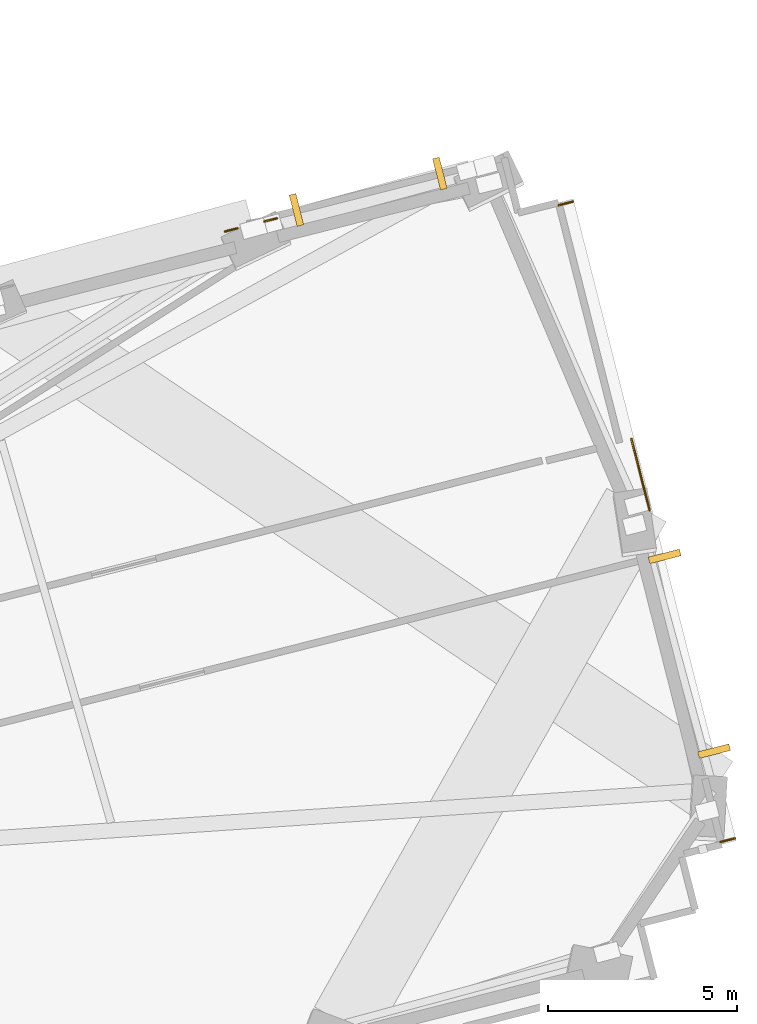
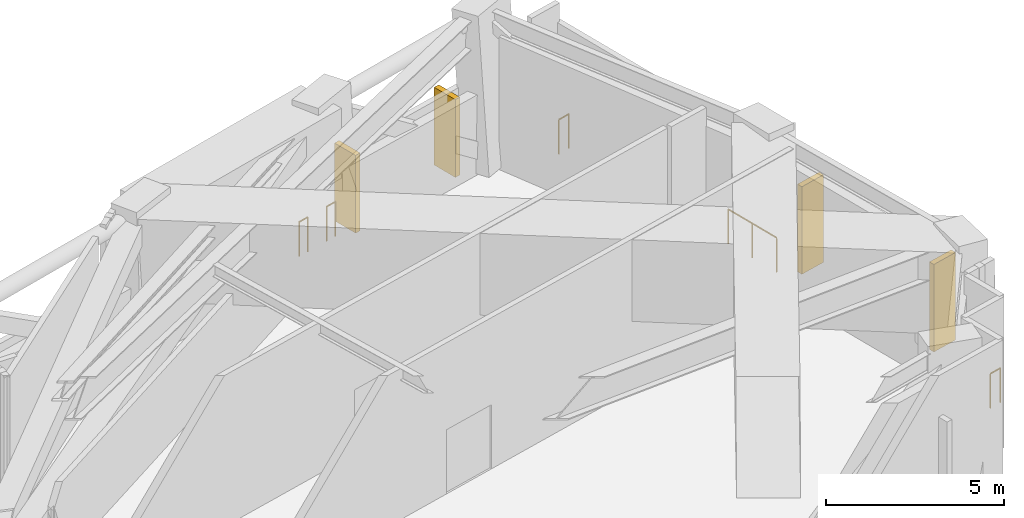
# One storey, part 17 of 17: 5 railings, 4 shading devices.
"""IFC4 building model written with IfcOpenShell, lengths in metres."""

import ifcopenshell
import ifcopenshell.guid

model = None  # the IFC model being written
_history = None  # IfcOwnerHistory: only IFC2X3 demands one
_inside = {}  # id of a spatial element -> (the spatial element, [elements in it])
_under = {}  # id of a project, library or spatial element -> (it, [spatial elements below it])
_declared = {}  # id of a project -> (the project, [libraries it declares])
_typed = {}  # id of a type object -> (the type object, [elements of that type])
_made_of = {}  # id of a material, layer set ... -> (it, [elements and type objects made of it])


def new_model(schema):
    """Start an empty IFC model of exactly this schema.

    Asked for "IFC4X3", IfcOpenShell would pick the latest addendum, in which some entities
    have other attributes; the version numbers below select the first issue.
    IFC2X3 requires an IfcOwnerHistory on every rooted entity: one is made here for all.
    """
    global model, _history
    if schema == "IFC4X3":
        model = ifcopenshell.file(schema_version=(4, 3, 0, 0))
    else:
        model = ifcopenshell.file(schema=schema)
    _inside.clear()
    _under.clear()
    _declared.clear()
    _typed.clear()
    _made_of.clear()
    _history = None
    if model.schema == "IFC2X3":
        org = make("IfcOrganization", Name="unknown")
        user = make(
            "IfcPersonAndOrganization",
            ThePerson=make("IfcPerson", FamilyName="unknown"),
            TheOrganization=org,
        )
        app = make(
            "IfcApplication",
            ApplicationDeveloper=org,
            Version="unknown",
            ApplicationFullName="unknown",
            ApplicationIdentifier="unknown",
        )
        _history = make(
            "IfcOwnerHistory",
            OwningUser=user,
            OwningApplication=app,
            ChangeAction="ADDED",
            CreationDate=0,
        )
    return model


def make(cls, **values):
    """One entity of the class cls with the attributes given. An attribute that is None is left unset."""
    return model.create_entity(
        cls, **{name: value for name, value in values.items() if value is not None}
    )


def rooted(cls, **values):
    """An entity with a GlobalId (a new one), such as an element, a storey or a relation."""
    return make(cls, GlobalId=ifcopenshell.guid.new(), OwnerHistory=_history, **values)


def si_unit(unit_type, name, prefix=None):
    """IfcSIUnit, for example si_unit("LENGTHUNIT", "METRE", prefix="MILLI")."""
    return make("IfcSIUnit", UnitType=unit_type, Prefix=prefix, Name=name)


def assignment(units):
    """IfcUnitAssignment: the units of a project."""
    return None if units is None else make("IfcUnitAssignment", Units=units)


def point(xyz):
    """IfcCartesianPoint."""
    return None if xyz is None else make("IfcCartesianPoint", Coordinates=xyz)


def direction(xyz):
    """IfcDirection."""
    return None if xyz is None else make("IfcDirection", DirectionRatios=xyz)


def frame(location, z_axis=None, x_axis=None):
    """IfcAxis2Placement3D, a coordinate frame: its origin and axes. An axis left out is left unset."""
    return make(
        "IfcAxis2Placement3D",
        Location=point(location),
        Axis=direction(z_axis),
        RefDirection=direction(x_axis),
    )


def frame_2d(location, x_axis=None):
    """IfcAxis2Placement2D, a coordinate frame in the plane: its origin and x axis."""
    return make(
        "IfcAxis2Placement2D", Location=point(location), RefDirection=direction(x_axis)
    )


def origin():
    """The frame at (0, 0, 0) with its axes left unset."""
    return frame((0.0, 0.0, 0.0))


def origin_2d():
    """The frame at (0, 0) in the plane with its x axis left unset."""
    return frame_2d((0.0, 0.0))


def place(relative_to, where):
    """IfcLocalPlacement: puts the frame where relative to a parent placement (None: the world)."""
    return make(
        "IfcLocalPlacement", PlacementRelTo=relative_to, RelativePlacement=where
    )


def context(
    kind, dimensions, precision=None, world=None, true_north=None, identifier=None
):
    """IfcGeometricRepresentationContext, for example the 3D "Model" context."""
    return make(
        "IfcGeometricRepresentationContext",
        ContextIdentifier=identifier,
        ContextType=kind,
        CoordinateSpaceDimension=dimensions,
        Precision=precision,
        WorldCoordinateSystem=world,
        TrueNorth=true_north,
    )


def subcontext(parent, identifier, kind, view, scale=None):
    """IfcGeometricRepresentationSubContext, for example "Body" below "Model"."""
    return make(
        "IfcGeometricRepresentationSubContext",
        ContextIdentifier=identifier,
        ContextType=kind,
        ParentContext=parent,
        TargetScale=scale,
        TargetView=view,
    )


def project(units=None, contexts=None):
    """IfcProject with its units and contexts."""
    return rooted(
        "IfcProject",
        Name="project",
        RepresentationContexts=contexts,
        UnitsInContext=assignment(units),
    )


def spatial(cls, under=None, at=None, **own):
    """A site, building, storey or space (cls), placed at a placement, below another one or the project."""
    s = rooted(cls, ObjectPlacement=at, **own)
    if under is not None:
        _under.setdefault(under.id(), (under, []))[1].append(s)
    return s


def profile(cls, at=None, kind="AREA", **sizes):
    """A parametric profile (cls). Its sizes go by their IFC names, for example OverallWidth=200.0."""
    return make(cls, ProfileType=kind, Position=at, **sizes)


def rectangle(**sizes):
    """IfcRectangleProfileDef."""
    return profile("IfcRectangleProfileDef", **sizes)


def circle(**sizes):
    """IfcCircleProfileDef."""
    return profile("IfcCircleProfileDef", **sizes)


def extrude(swept, where, along, depth):
    """IfcExtrudedAreaSolid: the profile swept, set in the frame where, extruded along a direction by depth."""
    return make(
        "IfcExtrudedAreaSolid",
        SweptArea=swept,
        Position=where,
        ExtrudedDirection=direction(along),
        Depth=depth,
    )


def shape(context_of_items, identifier, shape_type, items):
    """IfcShapeRepresentation: the items that make up one representation, for example the "Body"."""
    return make(
        "IfcShapeRepresentation",
        ContextOfItems=context_of_items,
        RepresentationIdentifier=identifier,
        RepresentationType=shape_type,
        Items=items,
    )


def material(Name=None, Category=None):
    """IfcMaterial."""
    return make("IfcMaterial", Name=Name, Category=Category)


def layer(
    of_material, thickness, ventilated=None, Name=None, Category=None, Priority=None
):
    """IfcMaterialLayer: one layer of a wall or slab, of a material (None: an air gap)."""
    return make(
        "IfcMaterialLayer",
        Material=of_material,
        LayerThickness=thickness,
        IsVentilated=ventilated,
        Name=Name,
        Category=Category,
        Priority=Priority,
    )


def layer_set(layers, Name=None):
    """IfcMaterialLayerSet."""
    return make("IfcMaterialLayerSet", MaterialLayers=layers, LayerSetName=Name)


def made_of(thing, what):
    """Note that an element or type object is made of a material, layer set ...; save() writes the relation."""
    if what is not None:
        _made_of.setdefault(what.id(), (what, []))[1].append(thing)
    return thing


def type_object(cls, material=None, **own):
    """A type object (cls), such as IfcWallType, which elements share."""
    return made_of(rooted(cls, **own), material)


def element(
    cls,
    number,
    at=None,
    inside=None,
    cuts=None,
    type_object=None,
    material=None,
    context=None,
    identifier="Body",
    shape_type=None,
    held_by="IfcProductDefinitionShape",
    body=None,
    shapes=None,
    **own,
):
    """One element of the class cls, such as IfcWall. Its Tag is "e" and its number.

    at: its placement. inside: the storey or other place that contains it. cuts: it is an
    opening in that element (IfcRelVoidsElement). A single representation is given by context,
    identifier, shape_type and body (its items); several are given by shapes. held_by: the class
    of the entity that holds the representations. save() writes the other relations.
    """
    e = rooted(cls, Tag="e%d" % number, ObjectPlacement=at, **own)
    if body is not None:
        shapes = [shape(context, identifier, shape_type, body)]
    if shapes is not None:
        e.Representation = make(held_by, Representations=shapes)
    if inside is not None:
        _inside.setdefault(inside.id(), (inside, []))[1].append(e)
    if cuts is not None:
        rooted(
            "IfcRelVoidsElement", RelatingBuildingElement=cuts, RelatedOpeningElement=e
        )
    if type_object is not None:
        _typed.setdefault(type_object.id(), (type_object, []))[1].append(e)
    return made_of(e, material)


def aggregate(whole, parts):
    """IfcRelAggregates: a whole, such as a stair, and the parts it consists of."""
    return rooted("IfcRelAggregates", RelatingObject=whole, RelatedObjects=parts)


def save(model, path):
    """Write the relations noted so far, then the file.

    IfcRelAggregates (storeys below a building ...), IfcRelContainedInSpatialStructure (elements
    in a storey), IfcRelDefinesByType, IfcRelAssociatesMaterial and IfcRelDeclares: one each for
    every whole, place, type object, material and project.
    """
    for whole, parts in _under.values():
        aggregate(whole, parts)
    for where, things in _inside.values():
        rooted(
            "IfcRelContainedInSpatialStructure",
            RelatedElements=things,
            RelatingStructure=where,
        )
    for kind, things in _typed.values():
        rooted("IfcRelDefinesByType", RelatedObjects=things, RelatingType=kind)
    for what, things in _made_of.values():
        rooted("IfcRelAssociatesMaterial", RelatedObjects=things, RelatingMaterial=what)
    for by, libraries in _declared.values():
        rooted("IfcRelDeclares", RelatingContext=by, RelatedDefinitions=libraries)
    model.write(path)


model = new_model("IFC4")

# Units and contexts
model_context = context("Model", 3, precision=1e-05, world=origin(), true_north=direction((0.0, 1.0)))
body_context = subcontext(model_context, "Body", "Model", "MODEL_VIEW")
ifc_project = project(units=[si_unit("LENGTHUNIT", "METRE"), si_unit("AREAUNIT", "SQUARE_METRE"), si_unit("VOLUMEUNIT", "CUBIC_METRE"), si_unit("PLANEANGLEUNIT", "RADIAN"), si_unit("MASSUNIT", "GRAM", prefix="KILO")], contexts=[model_context])

# Site, building, storey
site_placement = place(None, origin())
site = spatial("IfcSite", under=ifc_project, at=site_placement, CompositionType="ELEMENT")
building_placement = place(site_placement, origin())
building = spatial("IfcBuilding", under=site, at=building_placement, Name="Gaonmaruhae Medical Tower", CompositionType="ELEMENT")
storey_placement = place(building_placement, frame((0.0, 0.0, 83.0)))
storey = spatial("IfcBuildingStorey", under=building, at=storey_placement, Name="L19", CompositionType="ELEMENT", Elevation=83.0)

# Railings
ifc_material_1 = material(Name="Stainless steel 316L and laminated safety glass", Category="steel")
ifc_layer = layer(ifc_material_1, 0.080078125)
ifc_layer_set = layer_set([ifc_layer], Name="Stainless steel 316L and laminated safety glass")
railing_type = type_object("IfcRailingType", Name="GD-120 Outdoor Terrace Safety Glass & Steel Balustrade", PredefinedType="BALUSTRADE", material=ifc_layer_set)
railing_1_placement = place(storey_placement, frame((67.5205078125, 13.058349609375, 0.0)))
element("IfcRailing", 1, at=railing_1_placement, inside=storey, type_object=railing_type, Name="L19 Perimeter Slab Edge Safety Balustrade 05", PredefinedType="BALUSTRADE", context=body_context, shape_type="SweptSolid", body=[
    extrude(circle(Radius=0.02392578125, at=origin_2d()), frame((0.0, 0.0, 1.17578125), z_axis=(0.969186108269, 0.246329631871, 0.0), x_axis=(-0.246329631871, 0.969186108269, 0.0)), (0.0, 0.0, 1.0), 0.3935546875),
    extrude(circle(Radius=0.02099609375, at=origin_2d()), origin(), (0.0, 0.0, 1.0), 1.15185546875),
    extrude(circle(Radius=0.02099609375, at=origin_2d()), frame((0.38134765625, 0.096923828125, 0.0)), (0.0, 0.0, 1.0), 1.15185546875),
])
railing_2_placement = place(storey_placement, frame((65.648681640625, 21.824462890625, 0.0)))
element("IfcRailing", 2, at=railing_2_placement, inside=storey, type_object=railing_type, Name="L19 Perimeter Slab Edge Safety Balustrade 06", PredefinedType="BALUSTRADE", context=body_context, shape_type="SweptSolid", body=[
    extrude(circle(Radius=0.02392578125, at=origin_2d()), frame((0.0, 0.0, 1.17578125), z_axis=(-0.246195009855, 0.969220314027, 0.0), x_axis=(-0.969220314027, -0.246195009855, 0.0)), (0.0, 0.0, 1.0), 1.945556640625),
    extrude(circle(Radius=0.02099609375, at=origin_2d()), origin(), (0.0, 0.0, 1.0), 1.15185546875),
    extrude(circle(Radius=0.02099609375, at=origin_2d()), frame((-0.239501953125, 0.94287109375, 0.0)), (0.0, 0.0, 1.0), 1.15185546875),
    extrude(circle(Radius=0.02099609375, at=origin_2d()), frame((-0.47900390625, 1.8857421875, 0.0)), (0.0, 0.0, 1.0), 1.15185546875),
])
railing_3_placement = place(storey_placement, frame((63.628662109375, 29.98095703125, 0.0)))
element("IfcRailing", 3, at=railing_3_placement, inside=storey, type_object=railing_type, Name="L19 Perimeter Slab Edge Safety Balustrade 07", PredefinedType="BALUSTRADE", context=body_context, shape_type="SweptSolid", body=[
    extrude(circle(Radius=0.02392578125, at=origin_2d()), frame((0.0, 0.0, 1.17578125), z_axis=(-0.969334087965, -0.245746670188, 0.0), x_axis=(0.245746670188, -0.969334087965, 0.0)), (0.0, 0.0, 1.0), 0.393310546875),
    extrude(circle(Radius=0.02099609375, at=origin_2d()), origin(), (0.0, 0.0, 1.0), 1.15185546875),
    extrude(circle(Radius=0.02099609375, at=origin_2d()), frame((-0.38134765625, -0.0966796875, 0.0)), (0.0, 0.0, 1.0), 1.15185546875),
])
railing_4_placement = place(storey_placement, frame((55.7998046875, 29.540283203125, 0.0)))
element("IfcRailing", 4, at=railing_4_placement, inside=storey, type_object=railing_type, Name="L19 Perimeter Slab Edge Safety Balustrade 08", PredefinedType="BALUSTRADE", context=body_context, shape_type="SweptSolid", body=[
    extrude(circle(Radius=0.02392578125, at=origin_2d()), frame((0.0, 0.0, 1.17578125), z_axis=(-0.969334087965, -0.245746670188, 0.0), x_axis=(0.245746670188, -0.969334087965, 0.0)), (0.0, 0.0, 1.0), 0.33984375),
    extrude(circle(Radius=0.02099609375, at=origin_2d()), origin(), (0.0, 0.0, 1.0), 1.15185546875),
    extrude(circle(Radius=0.02099609375, at=origin_2d()), frame((-0.329345703125, -0.08349609375, 0.0)), (0.0, 0.0, 1.0), 1.15185546875),
])
railing_5_placement = place(storey_placement, frame((54.753662109375, 29.274658203125, 0.0)))
element("IfcRailing", 5, at=railing_5_placement, inside=storey, type_object=railing_type, Name="L19 Perimeter Slab Edge Safety Balustrade 09", PredefinedType="BALUSTRADE", context=body_context, shape_type="SweptSolid", body=[
    extrude(circle(Radius=0.02392578125, at=origin_2d()), frame((0.0, 0.0, 1.17578125), z_axis=(-0.969162715143, -0.246421654035, 0.0), x_axis=(0.246421654035, -0.969162715143, 0.0)), (0.0, 0.0, 1.0), 0.33984375),
    extrude(circle(Radius=0.02099609375, at=origin_2d()), origin(), (0.0, 0.0, 1.0), 1.15185546875),
    extrude(circle(Radius=0.02099609375, at=origin_2d()), frame((-0.329345703125, -0.083740234375, 0.0)), (0.0, 0.0, 1.0), 1.15185546875),
])

# Shading devices
ifc_material_2 = material(Name="Pigmented coral precast concrete C45/55", Category="concrete")
shading_device_type = type_object("IfcShadingDeviceType", Name="SD-FIN1 Tower Vertical Coral Precast Shading Fin", PredefinedType="USERDEFINED", material=ifc_material_2)
for number, where, z_axis, x_axis, name in (
    (6, (66.0458984375, 20.6044921875, 0.7724609375), (0.0, 0.0, 1.0), (0.246170209262, -0.969226613374, 0.0), "L19 Vertical Coral Precast Shading Fin E01"),
    (7, (67.353271484375, 15.457763671875, 0.7724609375), (0.0, 0.0, 1.0), (0.246170209262, -0.969226613374, 0.0), "L19 Vertical Coral Precast Shading Fin E01B"),
):
    element("IfcShadingDevice", number, at=place(storey_placement, frame(where, z_axis=z_axis, x_axis=x_axis)), inside=storey, type_object=shading_device_type, Name=name, ObjectType="FIN", PredefinedType="USERDEFINED", context=body_context, shape_type="SweptSolid", body=[
        extrude(rectangle(XDim=0.179931640625, YDim=0.85009765625, at=origin_2d()), origin(), (0.0, 0.0, 1.0), 3.0),
    ])
for number, where, z_axis, x_axis, name in (
    (8, (56.317626953125, 29.759521484375, 0.0400390625), (0.0, 0.0, 1.0), (0.969226613374, 0.246170209262, 0.0), "L19 Vertical Coral Precast Shading Fin E03"),
    (9, (60.1064453125, 30.721923828125, 0.0400390625), (0.0, 0.0, 1.0), (0.969226613374, 0.246170209262, 0.0), "L19 Vertical Coral Precast Shading Fin E03B"),
):
    element("IfcShadingDevice", number, at=place(storey_placement, frame(where, z_axis=z_axis, x_axis=x_axis)), inside=storey, type_object=shading_device_type, Name=name, ObjectType="FIN", PredefinedType="USERDEFINED", context=body_context, shape_type="SweptSolid", body=[
        extrude(rectangle(XDim=0.179931640625, YDim=0.85009765625, at=origin_2d()), origin(), (0.0, 0.0, 1.0), 2.6650390625),
    ])

save(model, "model.ifc")
